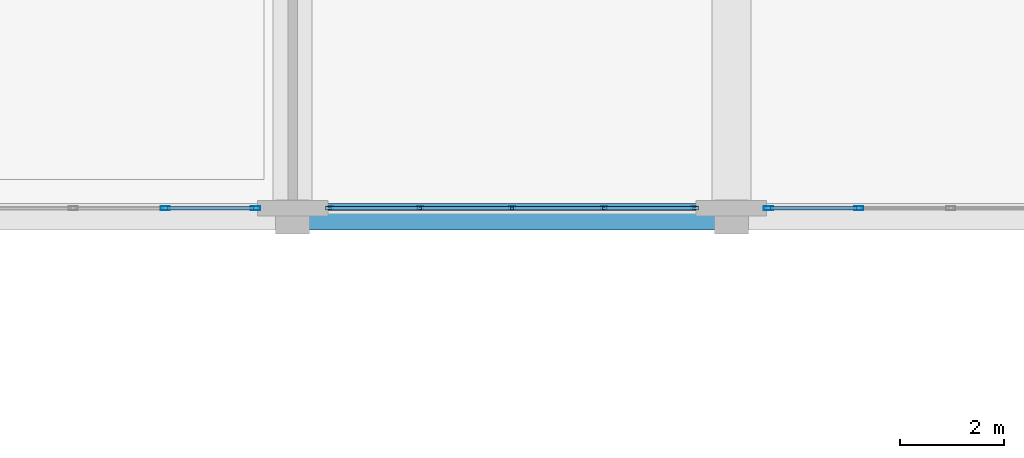
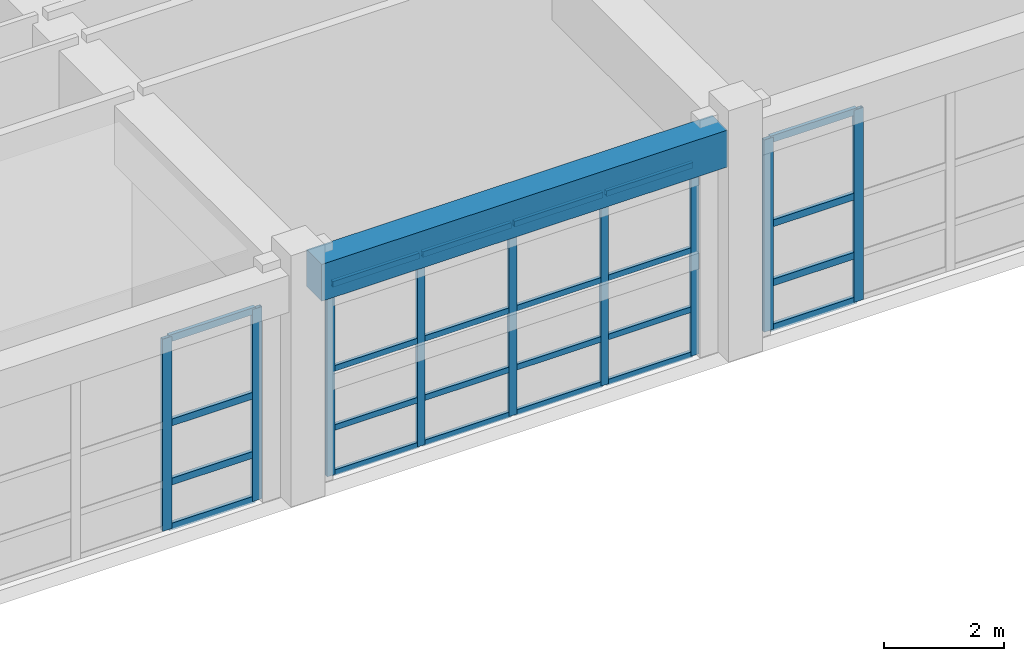
# One storey, part 36 of 78: 33 members, 1 beam, 3 elements without a shape of their own.
"""IFC4 building model written with IfcOpenShell, lengths in metres."""

from ifc_helpers import new_model, si_unit, direction, frame, origin, origin_2d, place, context, subcontext, project, spatial, rectangle, hollow_rectangle, extrude, material, layer, layer_set, material_profile, profile_set, type_object, element, aggregate, save


model = new_model("IFC4")

# Units and contexts
model_context = context("Model", 3, precision=1e-05, world=origin(), true_north=direction((0.0, 1.0)))
body_context = subcontext(model_context, "Body", "Model", "MODEL_VIEW")
ifc_project = project(units=[si_unit("LENGTHUNIT", "METRE"), si_unit("AREAUNIT", "SQUARE_METRE"), si_unit("VOLUMEUNIT", "CUBIC_METRE"), si_unit("PLANEANGLEUNIT", "RADIAN"), si_unit("MASSUNIT", "GRAM", prefix="KILO")], contexts=[model_context])

# Site, building, storey
site_placement = place(None, origin())
site = spatial("IfcSite", under=ifc_project, at=site_placement, CompositionType="ELEMENT")
building_placement = place(site_placement, origin())
building = spatial("IfcBuilding", under=site, at=building_placement, Name="Quendrovan Civic Courthouse", CompositionType="ELEMENT")
storey_placement = place(building_placement, frame((0.0, 0.0, 10.199951171875)))
storey = spatial("IfcBuildingStorey", under=building, at=storey_placement, Name="L03", CompositionType="ELEMENT", Elevation=10.199951171875)

# Beam
ifc_material_1 = material(Name="Concrete C40/50", Category="concrete")
ifc_material_profile_1 = material_profile(ifc_material_1, rectangle(XDim=0.5, YDim=0.75, at=origin_2d()), Name="RC-BM-500x750")
ifc_profile_set_1 = profile_set([ifc_material_profile_1], Name="Concrete C40/50")
beam_type = type_object("IfcBeamType", Name="BM-RC750", PredefinedType="SPANDREL", material=ifc_profile_set_1)
beam_placement = place(storey_placement, frame((67.5048828125, 64.800048828125, 4.28515625), z_axis=(1.0, 0.0, 0.0), x_axis=(0.0, 1.0, 0.0)))
element("IfcBeam", 1, at=beam_placement, inside=storey, type_object=beam_type, Name="L03 Girder X0749", PredefinedType="SPANDREL", context=body_context, shape_type="SweptSolid", body=[
    extrude(rectangle(XDim=0.5, YDim=0.75, at=origin_2d()), origin(), (0.0, 0.0, 1.0), 7.7900390625),
])

# Curtain wall, members
ifc_material_2 = material(Name="Bronze anodised aluminium and low-E glass", Category="aluminium")
ifc_layer = layer(ifc_material_2, 0.179931640625, Name="Bronze anodised aluminium and low-E glass")
ifc_layer_set = layer_set([ifc_layer], Name="Bronze anodised aluminium and low-E glass")
curtain_wall_type = type_object("IfcCurtainWallType", Name="CW-U70x39", PredefinedType="USERDEFINED", material=ifc_layer_set)
curtain_wall_1_placement = place(storey_placement, origin())
curtain_wall_1 = element("IfcCurtainWall", 2, at=curtain_wall_1_placement, inside=storey, type_object=curtain_wall_type, Name="L03 Unitised Hurricane Curtain Wall CW-132", ObjectType="UNITISED CURTAIN WALL", PredefinedType="USERDEFINED")
ifc_material_3 = material(Name="Bronze anodised aluminium", Category="aluminium")
ifc_material_profile_2 = material_profile(ifc_material_3, hollow_rectangle(XDim=0.070068359375, YDim=0.179931640625, WallThickness=0.00390625, at=origin_2d()), Name="CW-MULL-70x180")
ifc_profile_set_2 = profile_set([ifc_material_profile_2], Name="Bronze anodised aluminium")
member_type_1 = type_object("IfcMemberType", Name="CW-MULL-A", PredefinedType="MULLION", material=ifc_profile_set_2)
member_1_placement = place(storey_placement, frame((78.03759765625, 64.965087890625, 0.0), z_axis=(0.0, 0.0, 1.0), x_axis=(0.0, -1.0, 0.0)))
member_1 = element("IfcMember", 3, at=member_1_placement, type_object=member_type_1, Name="CW-132 mullion 4", PredefinedType="MULLION", context=body_context, shape_type="SweptSolid", body=[
    extrude(hollow_rectangle(XDim=0.070068359375, YDim=0.179931640625, WallThickness=0.00390625, at=origin_2d()), origin(), (0.0, 0.0, 1.0), 3.900146484375),
])
member_2_placement = place(storey_placement, frame((76.31005859375, 64.965087890625, 0.0), z_axis=(0.0, 0.0, 1.0), x_axis=(0.0, -1.0, 0.0)))
member_2 = element("IfcMember", 4, at=member_2_placement, type_object=member_type_1, Name="CW-132 mullion 5", PredefinedType="MULLION", context=body_context, shape_type="SweptSolid", body=[
    extrude(hollow_rectangle(XDim=0.070068359375, YDim=0.179931640625, WallThickness=0.00390625, at=origin_2d()), origin(), (0.0, 0.0, 1.0), 3.900146484375),
])

curtain_wall_2_placement = place(storey_placement, origin())
curtain_wall_2 = element("IfcCurtainWall", 5, at=curtain_wall_2_placement, inside=storey, type_object=curtain_wall_type, Name="L03 Unitised Hurricane Curtain Wall CW-134", ObjectType="UNITISED CURTAIN WALL", PredefinedType="USERDEFINED")
member_3_placement = place(storey_placement, frame((66.489990234375, 64.965087890625, 0.0), z_axis=(0.0, 0.0, 1.0), x_axis=(0.0, -1.0, 0.0)))
member_3 = element("IfcMember", 6, at=member_3_placement, type_object=member_type_1, Name="CW-134 mullion 1", PredefinedType="MULLION", context=body_context, shape_type="SweptSolid", body=[
    extrude(hollow_rectangle(XDim=0.070068359375, YDim=0.179931640625, WallThickness=0.00390625, at=origin_2d()), origin(), (0.0, 0.0, 1.0), 3.900146484375),
])
member_4_placement = place(storey_placement, frame((64.762451171875, 64.965087890625, 0.0), z_axis=(0.0, 0.0, 1.0), x_axis=(0.0, -1.0, 0.0)))
member_4 = element("IfcMember", 7, at=member_4_placement, type_object=member_type_1, Name="CW-134 mullion 2", PredefinedType="MULLION", context=body_context, shape_type="SweptSolid", body=[
    extrude(hollow_rectangle(XDim=0.070068359375, YDim=0.179931640625, WallThickness=0.00390625, at=origin_2d()), origin(), (0.0, 0.0, 1.0), 3.900146484375),
])

curtain_wall_3_placement = place(storey_placement, origin())
curtain_wall_3 = element("IfcCurtainWall", 8, at=curtain_wall_3_placement, inside=storey, type_object=curtain_wall_type, Name="L03 Unitised Hurricane Curtain Wall CW-133", ObjectType="UNITISED CURTAIN WALL", PredefinedType="USERDEFINED")
ifc_material_profile_3 = material_profile(ifc_material_3, hollow_rectangle(XDim=0.06494140625, YDim=0.14990234375, WallThickness=0.00390625, at=origin_2d()), Name="CW-MULL-65x150")
ifc_profile_set_3 = profile_set([ifc_material_profile_3], Name="Bronze anodised aluminium")
member_type_2 = type_object("IfcMemberType", Name="CW-MULL-B", PredefinedType="MULLION", material=ifc_profile_set_3)
member_5_placement = place(storey_placement, frame((74.892578125, 64.965087890625, 0.0), z_axis=(0.0, 0.0, 1.0), x_axis=(0.0, -1.0, 0.0)))
member_5 = element("IfcMember", 9, at=member_5_placement, type_object=member_type_2, Name="CW-133 mullion 1", PredefinedType="MULLION", context=body_context, shape_type="SweptSolid", body=[
    extrude(hollow_rectangle(XDim=0.06494140625, YDim=0.14990234375, WallThickness=0.00390625, at=origin_2d()), origin(), (0.0, 0.0, 1.0), 3.900146484375),
])
member_6_placement = place(storey_placement, frame((73.16259765625, 64.965087890625, 0.0), z_axis=(0.0, 0.0, 1.0), x_axis=(0.0, -1.0, 0.0)))
member_6 = element("IfcMember", 10, at=member_6_placement, type_object=member_type_2, Name="CW-133 mullion 2", PredefinedType="MULLION", context=body_context, shape_type="SweptSolid", body=[
    extrude(hollow_rectangle(XDim=0.06494140625, YDim=0.14990234375, WallThickness=0.00390625, at=origin_2d()), origin(), (0.0, 0.0, 1.0), 3.900146484375),
])
member_7_placement = place(storey_placement, frame((71.39990234375, 64.965087890625, 0.0), z_axis=(0.0, 0.0, 1.0), x_axis=(0.0, -1.0, 0.0)))
member_7 = element("IfcMember", 11, at=member_7_placement, type_object=member_type_2, Name="CW-133 mullion 3", PredefinedType="MULLION", context=body_context, shape_type="SweptSolid", body=[
    extrude(hollow_rectangle(XDim=0.06494140625, YDim=0.14990234375, WallThickness=0.00390625, at=origin_2d()), origin(), (0.0, 0.0, 1.0), 3.900146484375),
])
member_8_placement = place(storey_placement, frame((69.637451171875, 64.965087890625, 0.0), z_axis=(0.0, 0.0, 1.0), x_axis=(0.0, -1.0, 0.0)))
member_8 = element("IfcMember", 12, at=member_8_placement, type_object=member_type_2, Name="CW-133 mullion 4", PredefinedType="MULLION", context=body_context, shape_type="SweptSolid", body=[
    extrude(hollow_rectangle(XDim=0.06494140625, YDim=0.14990234375, WallThickness=0.00390625, at=origin_2d()), origin(), (0.0, 0.0, 1.0), 3.900146484375),
])
member_9_placement = place(storey_placement, frame((67.907470703125, 64.965087890625, 0.0), z_axis=(0.0, 0.0, 1.0), x_axis=(0.0, -1.0, 0.0)))
member_9 = element("IfcMember", 13, at=member_9_placement, type_object=member_type_2, Name="CW-133 mullion 5", PredefinedType="MULLION", context=body_context, shape_type="SweptSolid", body=[
    extrude(hollow_rectangle(XDim=0.06494140625, YDim=0.14990234375, WallThickness=0.00390625, at=origin_2d()), origin(), (0.0, 0.0, 1.0), 3.900146484375),
])

# Member
ifc_material_profile_4 = material_profile(ifc_material_3, hollow_rectangle(XDim=0.070068359375, YDim=0.139892578125, WallThickness=0.00390625, at=origin_2d()), Name="CW-TRAN-70x140")
ifc_profile_set_4 = profile_set([ifc_material_profile_4], Name="Bronze anodised aluminium")
member_type_3 = type_object("IfcMemberType", Name="CW-TRAN-A", PredefinedType="USERDEFINED", material=ifc_profile_set_4)
member_10_placement = place(storey_placement, frame((78.00244140625, 64.965087890625, 0.03515625), z_axis=(-1.0, 0.0, 0.0), x_axis=(0.0, -1.0, 0.0)))
member_10 = element("IfcMember", 14, at=member_10_placement, type_object=member_type_3, Name="CW-132 transom 4.1", ObjectType="TRANSOM", PredefinedType="USERDEFINED", context=body_context, shape_type="SweptSolid", body=[
    extrude(hollow_rectangle(XDim=0.070068359375, YDim=0.139892578125, WallThickness=0.00390625, at=origin_2d()), origin(), (0.0, 0.0, 1.0), 1.657470703125),
])

member_11_placement = place(storey_placement, frame((78.00244140625, 64.965087890625, 0.949951171875), z_axis=(-1.0, 0.0, 0.0), x_axis=(0.0, -1.0, 0.0)))
member_11 = element("IfcMember", 15, at=member_11_placement, type_object=member_type_3, Name="CW-132 transom 4.2", ObjectType="TRANSOM", PredefinedType="USERDEFINED", context=body_context, shape_type="SweptSolid", body=[
    extrude(hollow_rectangle(XDim=0.070068359375, YDim=0.139892578125, WallThickness=0.00390625, at=origin_2d()), origin(), (0.0, 0.0, 1.0), 1.657470703125),
])

member_12_placement = place(storey_placement, frame((78.00244140625, 64.965087890625, 2.150146484375), z_axis=(-1.0, 0.0, 0.0), x_axis=(0.0, -1.0, 0.0)))
member_12 = element("IfcMember", 16, at=member_12_placement, type_object=member_type_3, Name="CW-132 transom 4.3", ObjectType="TRANSOM", PredefinedType="USERDEFINED", context=body_context, shape_type="SweptSolid", body=[
    extrude(hollow_rectangle(XDim=0.070068359375, YDim=0.139892578125, WallThickness=0.00390625, at=origin_2d()), origin(), (0.0, 0.0, 1.0), 1.657470703125),
])

member_13_placement = place(storey_placement, frame((78.00244140625, 64.965087890625, 3.864990234375), z_axis=(-1.0, 0.0, 0.0), x_axis=(0.0, -1.0, 0.0)))
member_13 = element("IfcMember", 17, at=member_13_placement, type_object=member_type_3, Name="CW-132 transom 4.4", ObjectType="TRANSOM", PredefinedType="USERDEFINED", context=body_context, shape_type="SweptSolid", body=[
    extrude(hollow_rectangle(XDim=0.070068359375, YDim=0.139892578125, WallThickness=0.00390625, at=origin_2d()), origin(), (0.0, 0.0, 1.0), 1.657470703125),
])

aggregate(curtain_wall_1, [member_1, member_2, member_10, member_11, member_12, member_13])

member_14_placement = place(storey_placement, frame((66.455078125, 64.965087890625, 0.03515625), z_axis=(-1.0, 0.0, 0.0), x_axis=(0.0, -1.0, 0.0)))
member_14 = element("IfcMember", 18, at=member_14_placement, type_object=member_type_3, Name="CW-134 transom 1.1", ObjectType="TRANSOM", PredefinedType="USERDEFINED", context=body_context, shape_type="SweptSolid", body=[
    extrude(hollow_rectangle(XDim=0.070068359375, YDim=0.139892578125, WallThickness=0.00390625, at=origin_2d()), origin(), (0.0, 0.0, 1.0), 1.657470703125),
])

member_15_placement = place(storey_placement, frame((66.455078125, 64.965087890625, 0.949951171875), z_axis=(-1.0, 0.0, 0.0), x_axis=(0.0, -1.0, 0.0)))
member_15 = element("IfcMember", 19, at=member_15_placement, type_object=member_type_3, Name="CW-134 transom 1.2", ObjectType="TRANSOM", PredefinedType="USERDEFINED", context=body_context, shape_type="SweptSolid", body=[
    extrude(hollow_rectangle(XDim=0.070068359375, YDim=0.139892578125, WallThickness=0.00390625, at=origin_2d()), origin(), (0.0, 0.0, 1.0), 1.657470703125),
])

member_16_placement = place(storey_placement, frame((66.455078125, 64.965087890625, 2.150146484375), z_axis=(-1.0, 0.0, 0.0), x_axis=(0.0, -1.0, 0.0)))
member_16 = element("IfcMember", 20, at=member_16_placement, type_object=member_type_3, Name="CW-134 transom 1.3", ObjectType="TRANSOM", PredefinedType="USERDEFINED", context=body_context, shape_type="SweptSolid", body=[
    extrude(hollow_rectangle(XDim=0.070068359375, YDim=0.139892578125, WallThickness=0.00390625, at=origin_2d()), origin(), (0.0, 0.0, 1.0), 1.657470703125),
])

member_17_placement = place(storey_placement, frame((66.455078125, 64.965087890625, 3.864990234375), z_axis=(-1.0, 0.0, 0.0), x_axis=(0.0, -1.0, 0.0)))
member_17 = element("IfcMember", 21, at=member_17_placement, type_object=member_type_3, Name="CW-134 transom 1.4", ObjectType="TRANSOM", PredefinedType="USERDEFINED", context=body_context, shape_type="SweptSolid", body=[
    extrude(hollow_rectangle(XDim=0.070068359375, YDim=0.139892578125, WallThickness=0.00390625, at=origin_2d()), origin(), (0.0, 0.0, 1.0), 1.657470703125),
])

aggregate(curtain_wall_2, [member_3, member_4, member_14, member_15, member_16, member_17])

ifc_material_profile_5 = material_profile(ifc_material_3, hollow_rectangle(XDim=0.06494140625, YDim=0.114990234375, WallThickness=0.00390625, at=origin_2d()), Name="CW-TRAN-65x115")
ifc_profile_set_5 = profile_set([ifc_material_profile_5], Name="Bronze anodised aluminium")
member_type_4 = type_object("IfcMemberType", Name="CW-TRAN-B", PredefinedType="USERDEFINED", material=ifc_profile_set_5)
member_18_placement = place(storey_placement, frame((74.860107421875, 64.965087890625, 0.032470703125), z_axis=(-1.0, 0.0, 0.0), x_axis=(0.0, -1.0, 0.0)))
member_18 = element("IfcMember", 22, at=member_18_placement, type_object=member_type_4, Name="CW-133 transom 1.1", ObjectType="TRANSOM", PredefinedType="USERDEFINED", context=body_context, shape_type="SweptSolid", body=[
    extrude(hollow_rectangle(XDim=0.06494140625, YDim=0.114990234375, WallThickness=0.00390625, at=origin_2d()), origin(), (0.0, 0.0, 1.0), 1.6650390625),
])

member_19_placement = place(storey_placement, frame((74.860107421875, 64.965087890625, 0.949951171875), z_axis=(-1.0, 0.0, 0.0), x_axis=(0.0, -1.0, 0.0)))
member_19 = element("IfcMember", 23, at=member_19_placement, type_object=member_type_4, Name="CW-133 transom 1.2", ObjectType="TRANSOM", PredefinedType="USERDEFINED", context=body_context, shape_type="SweptSolid", body=[
    extrude(hollow_rectangle(XDim=0.06494140625, YDim=0.114990234375, WallThickness=0.00390625, at=origin_2d()), origin(), (0.0, 0.0, 1.0), 1.6650390625),
])

member_20_placement = place(storey_placement, frame((74.860107421875, 64.965087890625, 2.150146484375), z_axis=(-1.0, 0.0, 0.0), x_axis=(0.0, -1.0, 0.0)))
member_20 = element("IfcMember", 24, at=member_20_placement, type_object=member_type_4, Name="CW-133 transom 1.3", ObjectType="TRANSOM", PredefinedType="USERDEFINED", context=body_context, shape_type="SweptSolid", body=[
    extrude(hollow_rectangle(XDim=0.06494140625, YDim=0.114990234375, WallThickness=0.00390625, at=origin_2d()), origin(), (0.0, 0.0, 1.0), 1.6650390625),
])

member_21_placement = place(storey_placement, frame((74.860107421875, 64.965087890625, 3.867431640625), z_axis=(-1.0, 0.0, 0.0), x_axis=(0.0, -1.0, 0.0)))
member_21 = element("IfcMember", 25, at=member_21_placement, type_object=member_type_4, Name="CW-133 transom 1.4", ObjectType="TRANSOM", PredefinedType="USERDEFINED", context=body_context, shape_type="SweptSolid", body=[
    extrude(hollow_rectangle(XDim=0.06494140625, YDim=0.114990234375, WallThickness=0.00390625, at=origin_2d()), origin(), (0.0, 0.0, 1.0), 1.6650390625),
])

member_22_placement = place(storey_placement, frame((73.1298828125, 64.965087890625, 0.032470703125), z_axis=(-1.0, 0.0, 0.0), x_axis=(0.0, -1.0, 0.0)))
member_22 = element("IfcMember", 26, at=member_22_placement, type_object=member_type_4, Name="CW-133 transom 2.1", ObjectType="TRANSOM", PredefinedType="USERDEFINED", context=body_context, shape_type="SweptSolid", body=[
    extrude(hollow_rectangle(XDim=0.06494140625, YDim=0.114990234375, WallThickness=0.00390625, at=origin_2d()), origin(), (0.0, 0.0, 1.0), 1.697265625),
])

member_23_placement = place(storey_placement, frame((73.1298828125, 64.965087890625, 0.949951171875), z_axis=(-1.0, 0.0, 0.0), x_axis=(0.0, -1.0, 0.0)))
member_23 = element("IfcMember", 27, at=member_23_placement, type_object=member_type_4, Name="CW-133 transom 2.2", ObjectType="TRANSOM", PredefinedType="USERDEFINED", context=body_context, shape_type="SweptSolid", body=[
    extrude(hollow_rectangle(XDim=0.06494140625, YDim=0.114990234375, WallThickness=0.00390625, at=origin_2d()), origin(), (0.0, 0.0, 1.0), 1.697265625),
])

member_24_placement = place(storey_placement, frame((73.1298828125, 64.965087890625, 2.150146484375), z_axis=(-1.0, 0.0, 0.0), x_axis=(0.0, -1.0, 0.0)))
member_24 = element("IfcMember", 28, at=member_24_placement, type_object=member_type_4, Name="CW-133 transom 2.3", ObjectType="TRANSOM", PredefinedType="USERDEFINED", context=body_context, shape_type="SweptSolid", body=[
    extrude(hollow_rectangle(XDim=0.06494140625, YDim=0.114990234375, WallThickness=0.00390625, at=origin_2d()), origin(), (0.0, 0.0, 1.0), 1.697265625),
])

member_25_placement = place(storey_placement, frame((73.1298828125, 64.965087890625, 3.867431640625), z_axis=(-1.0, 0.0, 0.0), x_axis=(0.0, -1.0, 0.0)))
member_25 = element("IfcMember", 29, at=member_25_placement, type_object=member_type_4, Name="CW-133 transom 2.4", ObjectType="TRANSOM", PredefinedType="USERDEFINED", context=body_context, shape_type="SweptSolid", body=[
    extrude(hollow_rectangle(XDim=0.06494140625, YDim=0.114990234375, WallThickness=0.00390625, at=origin_2d()), origin(), (0.0, 0.0, 1.0), 1.697265625),
])

member_26_placement = place(storey_placement, frame((71.367431640625, 64.965087890625, 0.032470703125), z_axis=(-1.0, 0.0, 0.0), x_axis=(0.0, -1.0, 0.0)))
member_26 = element("IfcMember", 30, at=member_26_placement, type_object=member_type_4, Name="CW-133 transom 3.1", ObjectType="TRANSOM", PredefinedType="USERDEFINED", context=body_context, shape_type="SweptSolid", body=[
    extrude(hollow_rectangle(XDim=0.06494140625, YDim=0.114990234375, WallThickness=0.00390625, at=origin_2d()), origin(), (0.0, 0.0, 1.0), 1.697509765625),
])

member_27_placement = place(storey_placement, frame((71.367431640625, 64.965087890625, 0.949951171875), z_axis=(-1.0, 0.0, 0.0), x_axis=(0.0, -1.0, 0.0)))
member_27 = element("IfcMember", 31, at=member_27_placement, type_object=member_type_4, Name="CW-133 transom 3.2", ObjectType="TRANSOM", PredefinedType="USERDEFINED", context=body_context, shape_type="SweptSolid", body=[
    extrude(hollow_rectangle(XDim=0.06494140625, YDim=0.114990234375, WallThickness=0.00390625, at=origin_2d()), origin(), (0.0, 0.0, 1.0), 1.697509765625),
])

member_28_placement = place(storey_placement, frame((71.367431640625, 64.965087890625, 2.150146484375), z_axis=(-1.0, 0.0, 0.0), x_axis=(0.0, -1.0, 0.0)))
member_28 = element("IfcMember", 32, at=member_28_placement, type_object=member_type_4, Name="CW-133 transom 3.3", ObjectType="TRANSOM", PredefinedType="USERDEFINED", context=body_context, shape_type="SweptSolid", body=[
    extrude(hollow_rectangle(XDim=0.06494140625, YDim=0.114990234375, WallThickness=0.00390625, at=origin_2d()), origin(), (0.0, 0.0, 1.0), 1.697509765625),
])

member_29_placement = place(storey_placement, frame((71.367431640625, 64.965087890625, 3.867431640625), z_axis=(-1.0, 0.0, 0.0), x_axis=(0.0, -1.0, 0.0)))
member_29 = element("IfcMember", 33, at=member_29_placement, type_object=member_type_4, Name="CW-133 transom 3.4", ObjectType="TRANSOM", PredefinedType="USERDEFINED", context=body_context, shape_type="SweptSolid", body=[
    extrude(hollow_rectangle(XDim=0.06494140625, YDim=0.114990234375, WallThickness=0.00390625, at=origin_2d()), origin(), (0.0, 0.0, 1.0), 1.697509765625),
])

member_30_placement = place(storey_placement, frame((69.60498046875, 64.965087890625, 0.032470703125), z_axis=(-1.0, 0.0, 0.0), x_axis=(0.0, -1.0, 0.0)))
member_30 = element("IfcMember", 34, at=member_30_placement, type_object=member_type_4, Name="CW-133 transom 4.1", ObjectType="TRANSOM", PredefinedType="USERDEFINED", context=body_context, shape_type="SweptSolid", body=[
    extrude(hollow_rectangle(XDim=0.06494140625, YDim=0.114990234375, WallThickness=0.00390625, at=origin_2d()), origin(), (0.0, 0.0, 1.0), 1.6650390625),
])

member_31_placement = place(storey_placement, frame((69.60498046875, 64.965087890625, 0.949951171875), z_axis=(-1.0, 0.0, 0.0), x_axis=(0.0, -1.0, 0.0)))
member_31 = element("IfcMember", 35, at=member_31_placement, type_object=member_type_4, Name="CW-133 transom 4.2", ObjectType="TRANSOM", PredefinedType="USERDEFINED", context=body_context, shape_type="SweptSolid", body=[
    extrude(hollow_rectangle(XDim=0.06494140625, YDim=0.114990234375, WallThickness=0.00390625, at=origin_2d()), origin(), (0.0, 0.0, 1.0), 1.6650390625),
])

member_32_placement = place(storey_placement, frame((69.60498046875, 64.965087890625, 2.150146484375), z_axis=(-1.0, 0.0, 0.0), x_axis=(0.0, -1.0, 0.0)))
member_32 = element("IfcMember", 36, at=member_32_placement, type_object=member_type_4, Name="CW-133 transom 4.3", ObjectType="TRANSOM", PredefinedType="USERDEFINED", context=body_context, shape_type="SweptSolid", body=[
    extrude(hollow_rectangle(XDim=0.06494140625, YDim=0.114990234375, WallThickness=0.00390625, at=origin_2d()), origin(), (0.0, 0.0, 1.0), 1.6650390625),
])

member_33_placement = place(storey_placement, frame((69.60498046875, 64.965087890625, 3.867431640625), z_axis=(-1.0, 0.0, 0.0), x_axis=(0.0, -1.0, 0.0)))
member_33 = element("IfcMember", 37, at=member_33_placement, type_object=member_type_4, Name="CW-133 transom 4.4", ObjectType="TRANSOM", PredefinedType="USERDEFINED", context=body_context, shape_type="SweptSolid", body=[
    extrude(hollow_rectangle(XDim=0.06494140625, YDim=0.114990234375, WallThickness=0.00390625, at=origin_2d()), origin(), (0.0, 0.0, 1.0), 1.6650390625),
])

aggregate(curtain_wall_3, [member_5, member_6, member_7, member_8, member_9, member_18, member_19, member_20, member_21, member_22, member_23, member_24, member_25, member_26, member_27, member_28, member_29, member_30, member_31, member_32, member_33])

save(model, "model.ifc")
